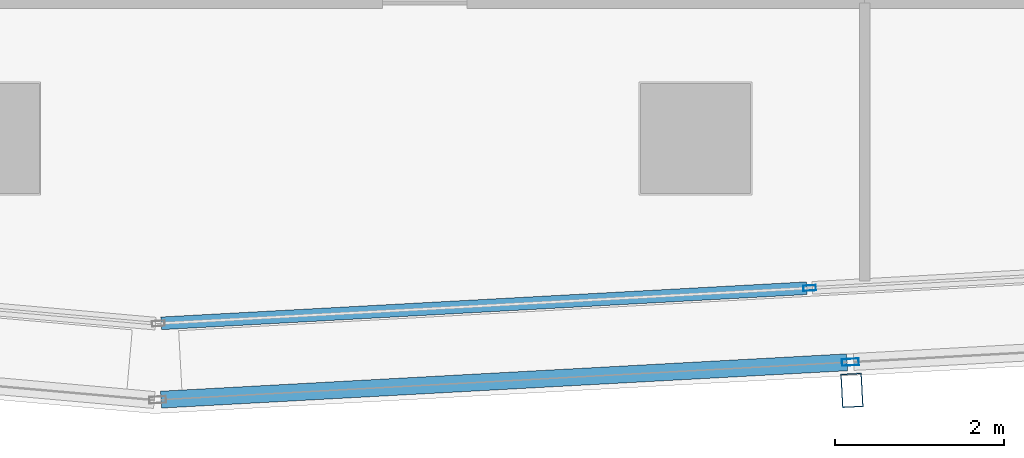
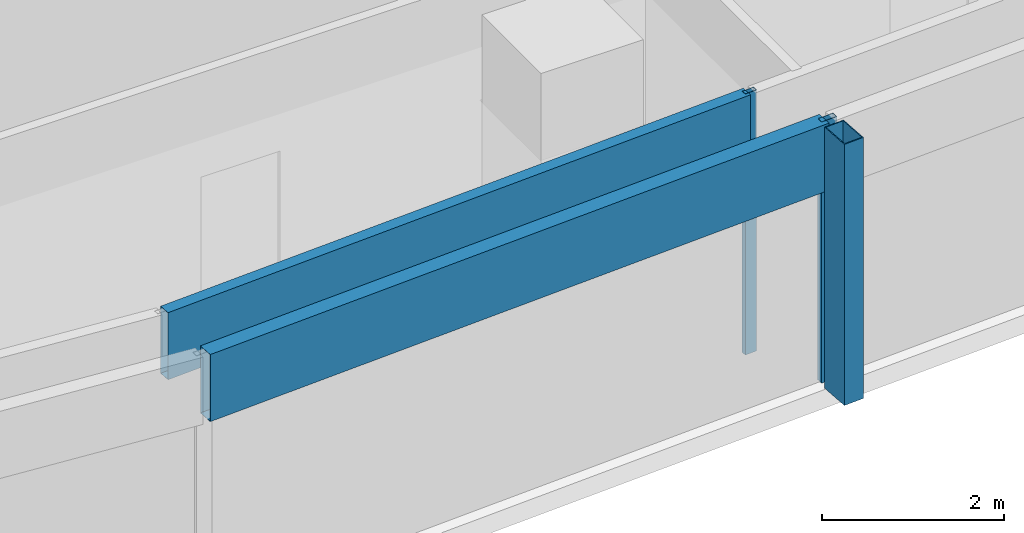
# One storey, part 6 of 29: 5 members, 2 elements without a shape of their own.
"""IFC4 building model written with IfcOpenShell, lengths in metres."""

from ifc_helpers import new_model, si_unit, direction, frame, origin, origin_2d, place, context, subcontext, project, spatial, hollow_rectangle, extrude, material, material_profile, profile_set, type_object, element, aggregate, save


model = new_model("IFC4")

# Units and contexts
model_context = context("Model", 3, precision=1e-05, world=origin(), true_north=direction((0.0, 1.0)))
body_context = subcontext(model_context, "Body", "Model", "MODEL_VIEW")
ifc_project = project(units=[si_unit("LENGTHUNIT", "METRE"), si_unit("AREAUNIT", "SQUARE_METRE"), si_unit("VOLUMEUNIT", "CUBIC_METRE"), si_unit("PLANEANGLEUNIT", "RADIAN"), si_unit("MASSUNIT", "GRAM", prefix="KILO")], contexts=[model_context])

# Site, building, storey
site_placement = place(None, origin())
site = spatial("IfcSite", under=ifc_project, at=site_placement, CompositionType="ELEMENT")
building_placement = place(site_placement, origin())
building = spatial("IfcBuilding", under=site, at=building_placement, Name="Rekha Terrace Tower", CompositionType="ELEMENT")
storey_placement = place(building_placement, frame((0.0, 0.0, 276.35009765625)))
storey = spatial("IfcBuildingStorey", under=building, at=storey_placement, Name="L70", CompositionType="ELEMENT", Elevation=276.35009765625)

# Curtain wall, member
ifc_material_1 = material(Name="Aluminium framing", Category="aluminium")
curtain_wall_type_1 = type_object("IfcCurtainWallType", Name="CW2 double skin outer glazing", PredefinedType="USERDEFINED", material=ifc_material_1)
curtain_wall_1_placement = place(storey_placement, origin())
curtain_wall_1 = element("IfcCurtainWall", 1, at=curtain_wall_1_placement, inside=storey, type_object=curtain_wall_type_1, Name="CW2 double skin outer glazing", ObjectType="DOUBLE SKIN OUTER GLAZING", PredefinedType="USERDEFINED")
ifc_material_2 = material(Name="Steel S355 with fluorocarbon finish", Category="steel")
ifc_material_profile_1 = material_profile(ifc_material_2, hollow_rectangle(XDim=0.25, YDim=0.39990234375, WallThickness=0.012451171875, at=origin_2d()), Name="RHS400x250x12.5")
ifc_profile_set_1 = profile_set([ifc_material_profile_1], Name="Steel S355 with fluorocarbon finish")
member_type_1 = type_object("IfcMemberType", Name="BL1 facade blade RHS 400 x 250", PredefinedType="USERDEFINED", material=ifc_profile_set_1)
member_1_placement = place(storey_placement, frame((35.4482421875, 13.82373046875, 0.0), z_axis=(0.0, 0.0, 1.0), x_axis=(0.99851982155, 0.054389024366, 0.0)))
member_1 = element("IfcMember", 2, at=member_1_placement, type_object=member_type_1, Name="Facade blade", ObjectType="FACADE BLADE", PredefinedType="USERDEFINED", context=body_context, shape_type="SweptSolid", body=[
    extrude(hollow_rectangle(XDim=0.25, YDim=0.39990234375, WallThickness=0.012451171875, at=origin_2d()), origin(), (0.0, 0.0, 1.0), 3.5),
])

# Curtain wall, members
curtain_wall_type_2 = type_object("IfcCurtainWallType", Name="CW1 double skin inner glazing", PredefinedType="USERDEFINED", material=ifc_material_1)
curtain_wall_2_placement = place(storey_placement, origin())
curtain_wall_2 = element("IfcCurtainWall", 3, at=curtain_wall_2_placement, inside=storey, type_object=curtain_wall_type_2, Name="CW1 double skin inner glazing", ObjectType="DOUBLE SKIN INNER GLAZING", PredefinedType="USERDEFINED")
ifc_material_3 = material(Name="Aluminium mullion section", Category="aluminium")
ifc_material_profile_2 = material_profile(ifc_material_3, hollow_rectangle(XDim=0.06494140625, YDim=0.14990234375, WallThickness=0.00390625, at=origin_2d()), Name="AL RHS 65x150")
ifc_profile_set_2 = profile_set([ifc_material_profile_2], Name="Aluminium mullion section")
member_type_2 = type_object("IfcMemberType", Name="CW1 mullion RHS 65 x 150", PredefinedType="MULLION", material=ifc_profile_set_2)
member_2_placement = place(storey_placement, frame((34.94775390625, 15.033447265625, 0.0), z_axis=(0.0, 0.0, 1.0), x_axis=(-0.054388903036, 0.998519828159, 0.0)))
member_2 = element("IfcMember", 4, at=member_2_placement, type_object=member_type_2, Name="CW1 mullion 2", PredefinedType="MULLION", context=body_context, shape_type="SweptSolid", body=[
    extrude(hollow_rectangle(XDim=0.06494140625, YDim=0.14990234375, WallThickness=0.00390625, at=origin_2d()), origin(), (0.0, 0.0, 1.0), 3.5),
])
ifc_material_4 = material(Name="Insulated aluminium spandrel box", Category="aluminium")
ifc_material_profile_3 = material_profile(ifc_material_4, hollow_rectangle(XDim=0.14990234375, YDim=0.89990234375, WallThickness=0.0029296875, at=origin_2d()), Name="AL SPANDREL BOX 150x900")
ifc_profile_set_3 = profile_set([ifc_material_profile_3], Name="Insulated aluminium spandrel box")
member_type_3 = type_object("IfcMemberType", Name="CW1 spandrel transom 150 x 900", PredefinedType="USERDEFINED", material=ifc_profile_set_3)
member_3_placement = place(storey_placement, frame((27.287109375, 14.6162109375, 3.0498046875), z_axis=(0.998521390426, 0.054360213958, 0.0), x_axis=(-0.054360213958, 0.998521390426, 0.0)))
member_3 = element("IfcMember", 5, at=member_3_placement, type_object=member_type_3, Name="CW1 spandrel transom 1", ObjectType="TRANSOM", PredefinedType="USERDEFINED", context=body_context, shape_type="SweptSolid", body=[
    extrude(hollow_rectangle(XDim=0.14990234375, YDim=0.89990234375, WallThickness=0.0029296875, at=origin_2d()), origin(), (0.0, 0.0, 1.0), 7.639404296875),
])
aggregate(curtain_wall_2, [member_2, member_3])

# Member
ifc_material_profile_4 = material_profile(ifc_material_3, hollow_rectangle(XDim=0.080078125, YDim=0.199951171875, WallThickness=0.00390625, at=origin_2d()), Name="AL RHS 80x200")
ifc_profile_set_4 = profile_set([ifc_material_profile_4], Name="Aluminium mullion section")
member_type_4 = type_object("IfcMemberType", Name="CW2 mullion RHS 80 x 200", PredefinedType="MULLION", material=ifc_profile_set_4)
member_4_placement = place(storey_placement, frame((35.429931640625, 14.158203125, 0.0), z_axis=(0.0, 0.0, 1.0), x_axis=(-0.054388903071, 0.998519828157, 0.0)))
member_4 = element("IfcMember", 6, at=member_4_placement, type_object=member_type_4, Name="CW2 mullion 2", PredefinedType="MULLION", context=body_context, shape_type="SweptSolid", body=[
    extrude(hollow_rectangle(XDim=0.080078125, YDim=0.199951171875, WallThickness=0.00390625, at=origin_2d()), origin(), (0.0, 0.0, 1.0), 3.5),
])

ifc_material_profile_5 = material_profile(ifc_material_4, hollow_rectangle(XDim=0.199951171875, YDim=0.89990234375, WallThickness=0.0029296875, at=origin_2d()), Name="AL SPANDREL BOX 200x900")
ifc_profile_set_5 = profile_set([ifc_material_profile_5], Name="Insulated aluminium spandrel box")
member_type_5 = type_object("IfcMemberType", Name="CW2 spandrel transom 200 x 900", PredefinedType="USERDEFINED", material=ifc_profile_set_5)
member_5_placement = place(storey_placement, frame((27.28662109375, 13.71484375, 3.0498046875), z_axis=(0.998521383998, 0.054360332034, 0.0), x_axis=(-0.054360332034, 0.998521383998, 0.0)))
member_5 = element("IfcMember", 7, at=member_5_placement, type_object=member_type_5, Name="CW2 spandrel transom 1", ObjectType="TRANSOM", PredefinedType="USERDEFINED", context=body_context, shape_type="SweptSolid", body=[
    extrude(hollow_rectangle(XDim=0.199951171875, YDim=0.89990234375, WallThickness=0.0029296875, at=origin_2d()), origin(), (0.0, 0.0, 1.0), 8.115478515625),
])

aggregate(curtain_wall_1, [member_4, member_5, member_1])

save(model, "model.ifc")
